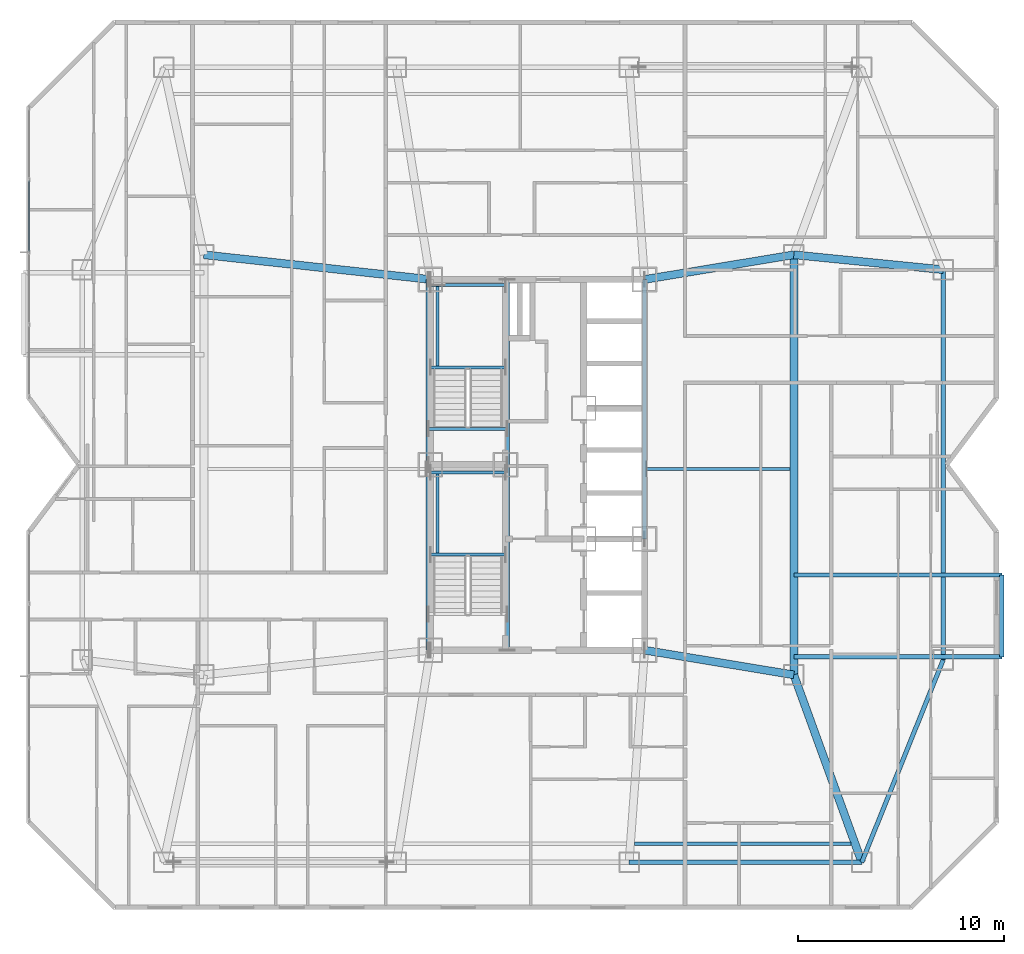
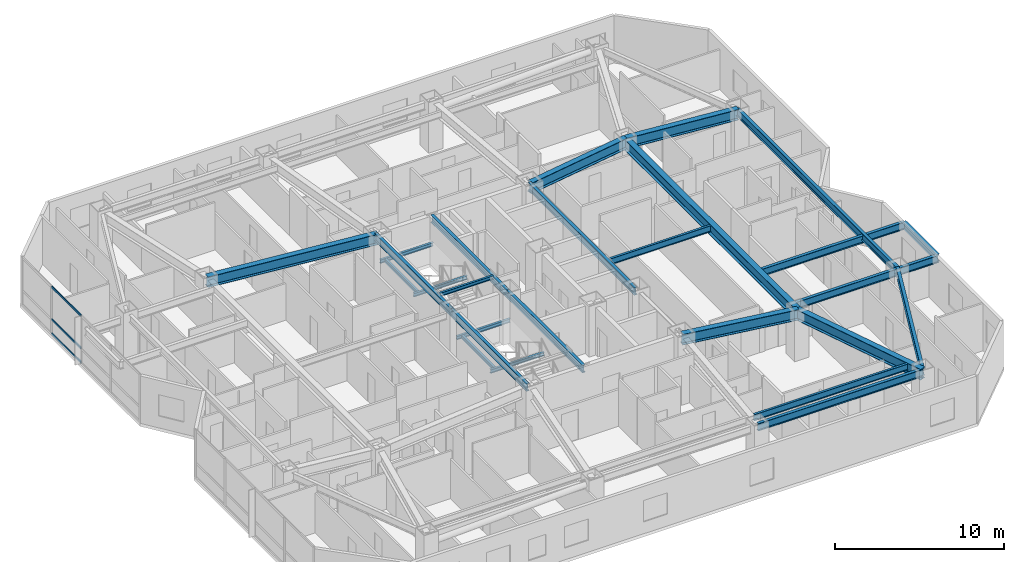
# One storey, part 9 of 21: 26 beams, 3 members, 1 element without a shape of its own.
"""IFC4 building model written with IfcOpenShell, lengths in metres."""

from ifc_helpers import new_model, si_unit, direction, frame, origin, origin_2d, place, context, subcontext, project, spatial, hollow_rectangle, i_section, extrude, material, material_profile, profile_set, type_object, element, aggregate, save


model = new_model("IFC4")

# Units and contexts
model_context = context("Model", 3, precision=1e-05, world=origin(), true_north=direction((0.0, 1.0)))
body_context = subcontext(model_context, "Body", "Model", "MODEL_VIEW")
ifc_project = project(units=[si_unit("LENGTHUNIT", "METRE"), si_unit("AREAUNIT", "SQUARE_METRE"), si_unit("VOLUMEUNIT", "CUBIC_METRE"), si_unit("PLANEANGLEUNIT", "RADIAN"), si_unit("MASSUNIT", "GRAM", prefix="KILO")], contexts=[model_context])

# Site, building, storey
site_placement = place(None, origin())
site = spatial("IfcSite", under=ifc_project, at=site_placement, CompositionType="ELEMENT")
building_placement = place(site_placement, origin())
building = spatial("IfcBuilding", under=site, at=building_placement, Name="Khamvora Tower", CompositionType="ELEMENT")
storey_placement = place(building_placement, frame((0.0, 0.0, 98.25)))
storey = spatial("IfcBuildingStorey", under=building, at=storey_placement, Name="L24", CompositionType="ELEMENT", Elevation=98.25)

# Beams
ifc_material_1 = material(Name="Steel S355", Category="steel")
ifc_material_profile_1 = material_profile(ifc_material_1, i_section(OverallWidth=0.154052734375, OverallDepth=0.458984375, WebThickness=0.009033203125, FlangeThickness=0.014892578125, FilletRadius=0.011962890625, at=origin_2d()), Name="W460x68")
ifc_profile_set_1 = profile_set([ifc_material_profile_1], Name="Steel S355")
beam_type_1 = type_object("IfcBeamType", Name="BM-JS-W460x68", PredefinedType="JOIST", material=ifc_profile_set_1)
beam_1_placement = place(storey_placement, frame((38.902099609375, 9.60009765625, 3.200927734375), z_axis=(1.0, 0.0, 0.0), x_axis=(0.0, 1.0, 0.0)))
element("IfcBeam", 1, at=beam_1_placement, inside=storey, type_object=beam_type_1, Name="L24 secondary floor joist 03", PredefinedType="JOIST", context=body_context, shape_type="SweptSolid", body=[
    extrude(i_section(OverallWidth=0.154052734375, OverallDepth=0.458984375, WebThickness=0.009033203125, FlangeThickness=0.014892578125, FilletRadius=0.011962890625, at=origin_2d()), origin(), (0.0, 0.0, 1.0), 10.52392578125),
])
beam_2_placement = place(storey_placement, frame((39.4990234375, 27.800048828125, 3.200927734375), z_axis=(1.0, 0.0, 0.0), x_axis=(0.0, 1.0, 0.0)))
element("IfcBeam", 2, at=beam_2_placement, inside=storey, type_object=beam_type_1, Name="L24 secondary floor joist 05", PredefinedType="JOIST", context=body_context, shape_type="SweptSolid", body=[
    extrude(i_section(OverallWidth=0.154052734375, OverallDepth=0.458984375, WebThickness=0.009033203125, FlangeThickness=0.014892578125, FilletRadius=0.011962890625, at=origin_2d()), origin(), (0.0, 0.0, 1.0), 6.966064453125),
])
ifc_material_profile_2 = material_profile(ifc_material_1, i_section(OverallWidth=0.14697265625, OverallDepth=0.261962890625, WebThickness=0.007080078125, FlangeThickness=0.010986328125, FilletRadius=0.008056640625, at=origin_2d()), Name="W250x39")
ifc_profile_set_2 = profile_set([ifc_material_profile_2], Name="Steel S355")
beam_type_2 = type_object("IfcBeamType", Name="BM-LN-W250x39", PredefinedType="LINTEL", material=ifc_profile_set_2)
for number, where, z_axis, x_axis, name in (
    (3, (29.0, 23.635009765625, 1.493896484375), (1.0, 0.0, 0.0), (0.0, 1.0, 0.0), "L24 ST-01 half-landing support beam 1.1"),
    (4, (29.0, 27.6298828125, 1.493896484375), (1.0, 0.0, 0.0), (0.0, 1.0, 0.0), "L24 ST-01 half-landing support beam 1.2"),
):
    element("IfcBeam", number, at=place(storey_placement, frame(where, z_axis=z_axis, x_axis=x_axis)), inside=storey, type_object=beam_type_2, Name=name, PredefinedType="LINTEL", context=body_context, shape_type="SweptSolid", body=[
        extrude(i_section(OverallWidth=0.14697265625, OverallDepth=0.261962890625, WebThickness=0.007080078125, FlangeThickness=0.010986328125, FilletRadius=0.008056640625, at=origin_2d()), origin(), (0.0, 0.0, 1.0), 3.64990234375),
    ])
beam_3_placement = place(storey_placement, frame((29.35009765625, 23.635009765625, 1.493896484375), z_axis=(0.0, 1.0, 0.0), x_axis=(-1.0, 0.0, 0.0)))
element("IfcBeam", 5, at=beam_3_placement, inside=storey, type_object=beam_type_2, Name="L24 ST-01 half-landing edge stringer 1", PredefinedType="LINTEL", context=body_context, shape_type="SweptSolid", body=[
    extrude(i_section(OverallWidth=0.14697265625, OverallDepth=0.261962890625, WebThickness=0.007080078125, FlangeThickness=0.010986328125, FilletRadius=0.008056640625, at=origin_2d()), origin(), (0.0, 0.0, 1.0), 3.994873046875),
])
for number, where, z_axis, x_axis, name in (
    (6, (29.0, 32.735107421875, 1.493896484375), (1.0, 0.0, 0.0), (0.0, 1.0, 0.0), "L24 ST-02 half-landing support beam 1.1"),
    (7, (29.0, 36.72998046875, 1.493896484375), (1.0, 0.0, 0.0), (0.0, 1.0, 0.0), "L24 ST-02 half-landing support beam 1.2"),
):
    element("IfcBeam", number, at=place(storey_placement, frame(where, z_axis=z_axis, x_axis=x_axis)), inside=storey, type_object=beam_type_2, Name=name, PredefinedType="LINTEL", context=body_context, shape_type="SweptSolid", body=[
        extrude(i_section(OverallWidth=0.14697265625, OverallDepth=0.261962890625, WebThickness=0.007080078125, FlangeThickness=0.010986328125, FilletRadius=0.008056640625, at=origin_2d()), origin(), (0.0, 0.0, 1.0), 3.64990234375),
    ])
beam_4_placement = place(storey_placement, frame((29.35009765625, 32.735107421875, 1.493896484375), z_axis=(0.0, 1.0, 0.0), x_axis=(-1.0, 0.0, 0.0)))
element("IfcBeam", 8, at=beam_4_placement, inside=storey, type_object=beam_type_2, Name="L24 ST-02 half-landing edge stringer 1", PredefinedType="LINTEL", context=body_context, shape_type="SweptSolid", body=[
    extrude(i_section(OverallWidth=0.14697265625, OverallDepth=0.261962890625, WebThickness=0.007080078125, FlangeThickness=0.010986328125, FilletRadius=0.008056640625, at=origin_2d()), origin(), (0.0, 0.0, 1.0), 3.994873046875),
])
beam_5_placement = place(storey_placement, frame((28.89990234375, 29.75, 3.303955078125), z_axis=(1.0, 0.0, 0.0), x_axis=(0.0, 1.0, 0.0)))
element("IfcBeam", 9, at=beam_5_placement, inside=storey, type_object=beam_type_2, Name="L24 exit stair ST-02 landing trimmer beam", PredefinedType="LINTEL", context=body_context, shape_type="SweptSolid", body=[
    extrude(i_section(OverallWidth=0.14697265625, OverallDepth=0.261962890625, WebThickness=0.007080078125, FlangeThickness=0.010986328125, FilletRadius=0.008056640625, at=origin_2d()), origin(), (0.0, 0.0, 1.0), 3.830078125),
])
ifc_material_profile_3 = material_profile(ifc_material_1, i_section(OverallWidth=0.381103515625, OverallDepth=0.77294921875, WebThickness=0.01708984375, FlangeThickness=0.027099609375, FilletRadius=0.01806640625, at=origin_2d()), Name="W760x257")
ifc_profile_set_3 = profile_set([ifc_material_profile_3], Name="Steel S355")
beam_type_3 = type_object("IfcBeamType", Name="BM-PG-W760x257", PredefinedType="BEAM", material=ifc_profile_set_3)
beam_6_placement = place(storey_placement, frame((46.64990234375, 17.800048828125, 3.0439453125), z_axis=(0.0, 1.0, 0.0), x_axis=(-1.0, 0.0, 0.0)))
element("IfcBeam", 10, at=beam_6_placement, inside=storey, type_object=beam_type_3, Name="L24 longitudinal frame girder M1-M2", PredefinedType="BEAM", context=body_context, shape_type="SweptSolid", body=[
    extrude(i_section(OverallWidth=0.381103515625, OverallDepth=0.77294921875, WebThickness=0.01708984375, FlangeThickness=0.027099609375, FilletRadius=0.01806640625, at=origin_2d()), origin(), (0.0, 0.0, 1.0), 20.39990234375),
])
beam_7_placement = place(storey_placement, frame((46.64990234375, 17.800048828125, 3.0439453125), z_axis=(0.340914681567, -0.940094239899, 0.0), x_axis=(0.940094239899, 0.340914681567, 0.0)))
element("IfcBeam", 11, at=beam_7_placement, inside=storey, type_object=beam_type_3, Name="L24 primary floor girder S4", PredefinedType="BEAM", context=body_context, shape_type="SweptSolid", body=[
    extrude(i_section(OverallWidth=0.381103515625, OverallDepth=0.77294921875, WebThickness=0.01708984375, FlangeThickness=0.027099609375, FilletRadius=0.01806640625, at=origin_2d()), origin(), (0.0, 0.0, 1.0), 9.679931640625),
])
beam_8_placement = place(storey_placement, frame((46.64990234375, 38.199951171875, 3.0439453125), z_axis=(0.995039180556, -0.099483813546, 0.0), x_axis=(0.099483813546, 0.995039180556, 0.0)))
element("IfcBeam", 12, at=beam_8_placement, inside=storey, type_object=beam_type_3, Name="L24 primary floor girder E2", PredefinedType="BEAM", context=body_context, shape_type="SweptSolid", body=[
    extrude(i_section(OverallWidth=0.381103515625, OverallDepth=0.77294921875, WebThickness=0.01708984375, FlangeThickness=0.027099609375, FilletRadius=0.01806640625, at=origin_2d()), origin(), (0.0, 0.0, 1.0), 7.2861328125),
])
beam_9_placement = place(storey_placement, frame((29.0, 37.0, 3.0439453125), z_axis=(-0.994102652327, 0.108443149329, 0.0), x_axis=(-0.108443149329, -0.994102652327, 0.0)))
element("IfcBeam", 13, at=beam_9_placement, inside=storey, type_object=beam_type_3, Name="L24 primary floor girder MW2", PredefinedType="BEAM", context=body_context, shape_type="SweptSolid", body=[
    extrude(i_section(OverallWidth=0.381103515625, OverallDepth=0.77294921875, WebThickness=0.01708984375, FlangeThickness=0.027099609375, FilletRadius=0.01806640625, at=origin_2d()), origin(), (0.0, 0.0, 1.0), 11.065185546875),
])
for number, where, z_axis, x_axis, name in (
    (14, (39.39990234375, 19.0, 3.0439453125), (0.986578268552, -0.163289068896, 0.0), (0.163289068896, 0.986578268552, 0.0), "L24 primary floor girder M1"),
    (15, (39.39990234375, 37.0, 3.0439453125), (0.986578268552, 0.163289068896, 0.0), (-0.163289068896, 0.986578268552, 0.0), "L24 primary floor girder M2"),
):
    element("IfcBeam", number, at=place(storey_placement, frame(where, z_axis=z_axis, x_axis=x_axis)), inside=storey, type_object=beam_type_3, Name=name, PredefinedType="BEAM", context=body_context, shape_type="SweptSolid", body=[
        extrude(i_section(OverallWidth=0.381103515625, OverallDepth=0.77294921875, WebThickness=0.01708984375, FlangeThickness=0.027099609375, FilletRadius=0.01806640625, at=origin_2d()), origin(), (0.0, 0.0, 1.0), 7.3486328125),
    ])
ifc_material_profile_4 = material_profile(ifc_material_1, i_section(OverallWidth=0.2119140625, OverallDepth=0.5439453125, WebThickness=0.012939453125, FlangeThickness=0.02099609375, FilletRadius=0.013916015625, at=origin_2d()), Name="W530x123")
ifc_profile_set_4 = profile_set([ifc_material_profile_4], Name="Steel S355")
beam_type_4 = type_object("IfcBeamType", Name="BM-SP-W530x123", PredefinedType="SPANDREL", material=ifc_profile_set_4)
beam_10_placement = place(storey_placement, frame((38.64990234375, 8.699951171875, 3.157958984375), z_axis=(1.0, 0.0, 0.0), x_axis=(0.0, 1.0, 0.0)))
element("IfcBeam", 16, at=beam_10_placement, inside=storey, type_object=beam_type_4, Name="L24 perimeter spandrel beam S3-S4", PredefinedType="SPANDREL", context=body_context, shape_type="SweptSolid", body=[
    extrude(i_section(OverallWidth=0.2119140625, OverallDepth=0.5439453125, WebThickness=0.012939453125, FlangeThickness=0.02099609375, FilletRadius=0.013916015625, at=origin_2d()), origin(), (0.0, 0.0, 1.0), 11.300048828125),
])
beam_11_placement = place(storey_placement, frame((49.949951171875, 8.699951171875, 3.157958984375), z_axis=(0.373015921536, 0.927824941614, 0.0), x_axis=(-0.927824941614, 0.373015921536, 0.0)))
element("IfcBeam", 17, at=beam_11_placement, inside=storey, type_object=beam_type_4, Name="L24 perimeter spandrel beam S4-E1", PredefinedType="SPANDREL", context=body_context, shape_type="SweptSolid", body=[
    extrude(i_section(OverallWidth=0.2119140625, OverallDepth=0.5439453125, WebThickness=0.012939453125, FlangeThickness=0.02099609375, FilletRadius=0.013916015625, at=origin_2d()), origin(), (0.0, 0.0, 1.0), 10.589111328125),
])
beam_12_placement = place(storey_placement, frame((53.89990234375, 18.52490234375, 3.157958984375), z_axis=(0.0, 1.0, 0.0), x_axis=(-1.0, 0.0, 0.0)))
element("IfcBeam", 18, at=beam_12_placement, inside=storey, type_object=beam_type_4, Name="L24 perimeter spandrel beam E1-E2", PredefinedType="SPANDREL", context=body_context, shape_type="SweptSolid", body=[
    extrude(i_section(OverallWidth=0.2119140625, OverallDepth=0.5439453125, WebThickness=0.012939453125, FlangeThickness=0.02099609375, FilletRadius=0.013916015625, at=origin_2d()), origin(), (0.0, 0.0, 1.0), 18.9501953125),
])
ifc_material_profile_5 = material_profile(ifc_material_1, i_section(OverallWidth=0.208984375, OverallDepth=0.532958984375, WebThickness=0.010009765625, FlangeThickness=0.01611328125, FilletRadius=0.013916015625, at=origin_2d()), Name="W530x92")
ifc_profile_set_5 = profile_set([ifc_material_profile_5], Name="Steel S355")
beam_type_5 = type_object("IfcBeamType", Name="BM-SP-W530x92", PredefinedType="SPANDREL", material=ifc_profile_set_5)
for number, where, z_axis, x_axis, name in (
    (19, (28.89990234375, 19.0, 3.1640625), (0.0, 1.0, 0.0), (-1.0, 0.0, 0.0), "L24 core spine girder WS"),
    (20, (28.89990234375, 28.0, 3.1640625), (0.0, 1.0, 0.0), (-1.0, 0.0, 0.0), "L24 core spine girder WN"),
    (21, (32.72998046875, 19.0, 3.1640625), (0.0, 1.0, 0.0), (-1.0, 0.0, 0.0), "L24 core spine girder M1S"),
    (22, (32.72998046875, 28.0, 3.1640625), (0.0, 1.0, 0.0), (-1.0, 0.0, 0.0), "L24 core spine girder M1N"),
):
    element("IfcBeam", number, at=place(storey_placement, frame(where, z_axis=z_axis, x_axis=x_axis)), inside=storey, type_object=beam_type_5, Name=name, PredefinedType="SPANDREL", context=body_context, shape_type="SweptSolid", body=[
        extrude(i_section(OverallWidth=0.208984375, OverallDepth=0.532958984375, WebThickness=0.010009765625, FlangeThickness=0.01611328125, FilletRadius=0.013916015625, at=origin_2d()), origin(), (0.0, 0.0, 1.0), 9.0),
    ])
beam_13_placement = place(storey_placement, frame((39.39990234375, 24.39990234375, 3.1640625), z_axis=(0.0, 1.0, 0.0), x_axis=(-1.0, 0.0, 0.0)))
element("IfcBeam", 23, at=beam_13_placement, inside=storey, type_object=beam_type_5, Name="L24 core spine girder EN", PredefinedType="SPANDREL", context=body_context, shape_type="SweptSolid", body=[
    extrude(i_section(OverallWidth=0.208984375, OverallDepth=0.532958984375, WebThickness=0.010009765625, FlangeThickness=0.01611328125, FilletRadius=0.013916015625, at=origin_2d()), origin(), (0.0, 0.0, 1.0), 12.60009765625),
])
for number, where, z_axis, x_axis, name in (
    (24, (46.64990234375, 18.675048828125, 2.964111328125), (1.0, 0.0, 0.0), (0.0, 1.0, 0.0), "L24 continuous gallery cantilever girder L25-EL1-1"),
    (25, (46.64990234375, 22.64990234375, 2.964111328125), (1.0, 0.0, 0.0), (0.0, 1.0, 0.0), "L24 continuous gallery cantilever girder L25-EL1-2"),
):
    element("IfcBeam", number, at=place(storey_placement, frame(where, z_axis=z_axis, x_axis=x_axis)), inside=storey, type_object=beam_type_5, Name=name, PredefinedType="SPANDREL", context=body_context, shape_type="SweptSolid", body=[
        extrude(i_section(OverallWidth=0.208984375, OverallDepth=0.532958984375, WebThickness=0.010009765625, FlangeThickness=0.01611328125, FilletRadius=0.013916015625, at=origin_2d()), origin(), (0.0, 0.0, 1.0), 10.10009765625),
    ])
beam_14_placement = place(storey_placement, frame((56.75, 18.675048828125, 2.964111328125), z_axis=(0.0, 1.0, 0.0), x_axis=(-1.0, 0.0, 0.0)))
element("IfcBeam", 26, at=beam_14_placement, inside=storey, type_object=beam_type_5, Name="L24 external gallery edge header beam L25-EL1", PredefinedType="SPANDREL", context=body_context, shape_type="SweptSolid", body=[
    extrude(i_section(OverallWidth=0.208984375, OverallDepth=0.532958984375, WebThickness=0.010009765625, FlangeThickness=0.01611328125, FilletRadius=0.013916015625, at=origin_2d()), origin(), (0.0, 0.0, 1.0), 3.974853515625),
])

# Curtain wall, members
ifc_material_2 = material(Name="Anodised Aluminium 6063-T6", Category="aluminium")
curtain_wall_type = type_object("IfcCurtainWallType", Name="CW-SYS-03", PredefinedType="NOTDEFINED", material=ifc_material_2)
curtain_wall_placement = place(storey_placement, origin())
curtain_wall = element("IfcCurtainWall", 27, at=curtain_wall_placement, inside=storey, type_object=curtain_wall_type, Name="L24 stick curtain wall 05.1", PredefinedType="NOTDEFINED")
ifc_material_profile_6 = material_profile(ifc_material_2, hollow_rectangle(XDim=0.06494140625, YDim=0.155029296875, WallThickness=0.0048828125, at=origin_2d()), Name="TRN65x155x5")
ifc_profile_set_6 = profile_set([ifc_material_profile_6], Name="Anodised Aluminium 6063-T6")
member_type = type_object("IfcMemberType", Name="CW-SYS-03-TRN", PredefinedType="USERDEFINED", material=ifc_profile_set_6)
member_1_placement = place(storey_placement, frame((9.510009765625, 38.35595703125, 0.032470703125), z_axis=(0.0, 1.0, 0.0), x_axis=(-1.0, 0.0, 0.0)))
member_1 = element("IfcMember", 28, at=member_1_placement, type_object=member_type, Name="CW-03 transom 3.1", ObjectType="TRANSOM", PredefinedType="USERDEFINED", context=body_context, shape_type="SweptSolid", body=[
    extrude(hollow_rectangle(XDim=0.06494140625, YDim=0.155029296875, WallThickness=0.0048828125, at=origin_2d()), origin(), (0.0, 0.0, 1.0), 3.4501953125),
])
member_2_placement = place(storey_placement, frame((9.510009765625, 38.35595703125, 1.050048828125), z_axis=(0.0, 1.0, 0.0), x_axis=(-1.0, 0.0, 0.0)))
member_2 = element("IfcMember", 29, at=member_2_placement, type_object=member_type, Name="CW-03 transom 3.2", ObjectType="TRANSOM", PredefinedType="USERDEFINED", context=body_context, shape_type="SweptSolid", body=[
    extrude(hollow_rectangle(XDim=0.06494140625, YDim=0.155029296875, WallThickness=0.0048828125, at=origin_2d()), origin(), (0.0, 0.0, 1.0), 3.4501953125),
])
member_3_placement = place(storey_placement, frame((9.510009765625, 38.35595703125, 3.3974609375), z_axis=(0.0, 1.0, 0.0), x_axis=(-1.0, 0.0, 0.0)))
member_3 = element("IfcMember", 30, at=member_3_placement, type_object=member_type, Name="CW-03 transom 3.3", ObjectType="TRANSOM", PredefinedType="USERDEFINED", context=body_context, shape_type="SweptSolid", body=[
    extrude(hollow_rectangle(XDim=0.06494140625, YDim=0.155029296875, WallThickness=0.0048828125, at=origin_2d()), origin(), (0.0, 0.0, 1.0), 3.4501953125),
])
aggregate(curtain_wall, [member_1, member_2, member_3])

save(model, "model.ifc")
